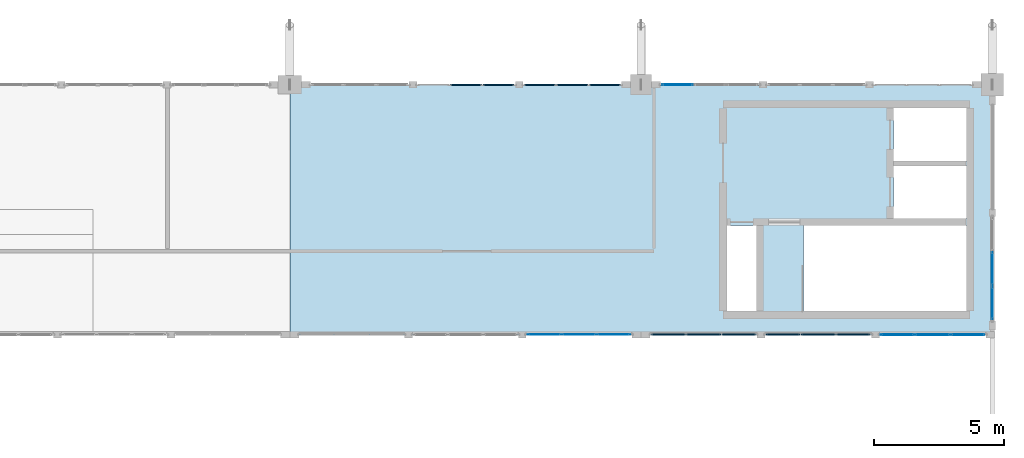
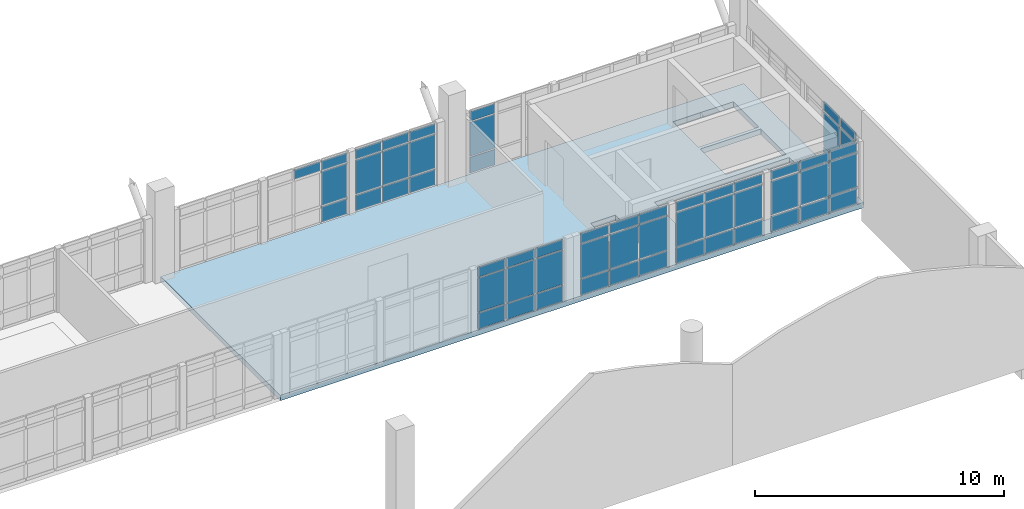
# One storey, part 29 of 37: 58 plates, 1 slab, 8 elements without a shape of their own.
"""IFC4 building model written with IfcOpenShell, lengths in metres."""

from ifc_helpers import new_model, si_unit, direction, frame, origin, origin_2d, place, context, subcontext, project, spatial, polyline, rectangle, outline, extrude, material, layer, layer_set, type_object, element, aggregate, save


model = new_model("IFC4")

# Units and contexts
model_context = context("Model", 3, precision=1e-05, world=origin(), true_north=direction((0.0, 1.0)))
body_context = subcontext(model_context, "Body", "Model", "MODEL_VIEW")
ifc_project = project(units=[si_unit("LENGTHUNIT", "METRE"), si_unit("AREAUNIT", "SQUARE_METRE"), si_unit("VOLUMEUNIT", "CUBIC_METRE"), si_unit("PLANEANGLEUNIT", "RADIAN"), si_unit("MASSUNIT", "GRAM", prefix="KILO")], contexts=[model_context])

# Site, building, storey
site_placement = place(None, origin())
site = spatial("IfcSite", under=ifc_project, at=site_placement, CompositionType="ELEMENT")
building_placement = place(site_placement, origin())
building = spatial("IfcBuilding", under=site, at=building_placement, Name="Fikremerkos Civic Library", CompositionType="ELEMENT")
storey_placement = place(building_placement, frame((0.0, 0.0, 23.39990234375)))
storey = spatial("IfcBuildingStorey", under=building, at=storey_placement, Name="L05", CompositionType="ELEMENT", Elevation=23.39990234375)

# Curtain wall, plates
ifc_material_1 = material(Name="Anodized aluminium Frame", Category="aluminium")
ifc_layer_1 = layer(ifc_material_1, 0.159912109375, Name="Anodized aluminium Frame")
ifc_layer_set_1 = layer_set([ifc_layer_1], Name="Anodized aluminium Frame")
curtain_wall_type_1 = type_object("IfcCurtainWallType", Name="Unitised curtain wall CW-05 3800x4100", PredefinedType="USERDEFINED", material=ifc_layer_set_1)
curtain_wall_1_placement = place(storey_placement, origin())
curtain_wall_1 = element("IfcCurtainWall", 1, at=curtain_wall_1_placement, inside=storey, type_object=curtain_wall_type_1, Name="Unitised curtain wall CW-05 L05 #275", ObjectType="UNITISED CURTAIN WALL", PredefinedType="USERDEFINED")
ifc_material_2 = material(Name="Solar control double glazing", Category="glass")
ifc_layer_2 = layer(ifc_material_2, 0.028076171875, Name="Solar control double glazing")
ifc_layer_set_2 = layer_set([ifc_layer_2], Name="Solar control double glazing")
plate_type_1 = type_object("IfcPlateType", Name="Curtain glazing panel CWP-01 28", PredefinedType="CURTAIN_PANEL", material=ifc_layer_set_2)
plate_1_placement = place(storey_placement, frame((101.596435546875, 31.199951171875, 0.06005859375), z_axis=(0.0, 0.0, 1.0), x_axis=(1.0, 0.0, 0.0)))
plate_1 = element("IfcPlate", 2, at=plate_1_placement, type_object=plate_type_1, Name="CW-05 panel 1.1", PredefinedType="CURTAIN_PANEL", context=body_context, shape_type="SweptSolid", body=[
    extrude(rectangle(XDim=1.166748046875, YDim=0.028076171875, at=origin_2d()), origin(), (0.0, 0.0, 1.0), 0.760009765625),
])
plate_2_placement = place(storey_placement, frame((101.596435546875, 31.199951171875, 0.88037109375), z_axis=(0.0, 0.0, 1.0), x_axis=(1.0, 0.0, 0.0)))
plate_2 = element("IfcPlate", 3, at=plate_2_placement, type_object=plate_type_1, Name="CW-05 panel 1.2", PredefinedType="CURTAIN_PANEL", context=body_context, shape_type="SweptSolid", body=[
    extrude(rectangle(XDim=1.166748046875, YDim=0.028076171875, at=origin_2d()), origin(), (0.0, 0.0, 1.0), 1.659912109375),
])
plate_3_placement = place(storey_placement, frame((101.596435546875, 31.199951171875, 2.60009765625), z_axis=(0.0, 0.0, 1.0), x_axis=(1.0, 0.0, 0.0)))
plate_3 = element("IfcPlate", 4, at=plate_3_placement, type_object=plate_type_1, Name="CW-05 panel 1.3", PredefinedType="CURTAIN_PANEL", context=body_context, shape_type="SweptSolid", body=[
    extrude(rectangle(XDim=1.166748046875, YDim=0.028076171875, at=origin_2d()), origin(), (0.0, 0.0, 1.0), 0.4599609375),
])
aggregate(curtain_wall_1, [plate_1, plate_2, plate_3])

ifc_layer_3 = layer(ifc_material_1, 0.159912109375, Name="Anodized aluminium Frame")
ifc_layer_set_3 = layer_set([ifc_layer_3], Name="Anodized aluminium Frame")
curtain_wall_type_2 = type_object("IfcCurtainWallType", Name="Unitised curtain wall CW-09 3600x3400", PredefinedType="USERDEFINED", material=ifc_layer_set_3)
curtain_wall_2_placement = place(storey_placement, origin())
curtain_wall_2 = element("IfcCurtainWall", 5, at=curtain_wall_2_placement, inside=storey, type_object=curtain_wall_type_2, Name="Unitised curtain wall CW-09 L05 #279", ObjectType="UNITISED CURTAIN WALL", PredefinedType="USERDEFINED")
plate_4_placement = place(storey_placement, frame((113.699951171875, 24.129150390625, 0.070068359375), z_axis=(0.0, 0.0, 1.0), x_axis=(0.0, -1.0, 0.0)))
plate_4 = element("IfcPlate", 6, at=plate_4_placement, type_object=plate_type_1, Name="CW-09 panel 2.1", PredefinedType="CURTAIN_PANEL", context=body_context, shape_type="SweptSolid", body=[
    extrude(rectangle(XDim=1.267822265625, YDim=0.028076171875, at=origin_2d()), origin(), (0.0, 0.0, 1.0), 0.7451171875),
])
plate_5_placement = place(storey_placement, frame((113.699951171875, 24.129150390625, 0.88525390625), z_axis=(0.0, 0.0, 1.0), x_axis=(0.0, -1.0, 0.0)))
plate_5 = element("IfcPlate", 7, at=plate_5_placement, type_object=plate_type_1, Name="CW-09 panel 2.2", PredefinedType="CURTAIN_PANEL", context=body_context, shape_type="SweptSolid", body=[
    extrude(rectangle(XDim=1.267822265625, YDim=0.028076171875, at=origin_2d()), origin(), (0.0, 0.0, 1.0), 1.64990234375),
])
plate_6_placement = place(storey_placement, frame((113.699951171875, 24.129150390625, 2.60498046875), z_axis=(0.0, 0.0, 1.0), x_axis=(0.0, -1.0, 0.0)))
plate_6 = element("IfcPlate", 8, at=plate_6_placement, type_object=plate_type_1, Name="CW-09 panel 2.3", PredefinedType="CURTAIN_PANEL", context=body_context, shape_type="SweptSolid", body=[
    extrude(rectangle(XDim=1.267822265625, YDim=0.028076171875, at=origin_2d()), origin(), (0.0, 0.0, 1.0), 0.445068359375),
])
plate_7_placement = place(storey_placement, frame((113.699951171875, 22.812744140625, 0.070068359375), z_axis=(0.0, 0.0, 1.0), x_axis=(0.0, -1.0, 0.0)))
plate_7 = element("IfcPlate", 9, at=plate_7_placement, type_object=plate_type_1, Name="CW-09 panel 3.1", PredefinedType="CURTAIN_PANEL", context=body_context, shape_type="SweptSolid", body=[
    extrude(rectangle(XDim=1.2353515625, YDim=0.028076171875, at=origin_2d()), origin(), (0.0, 0.0, 1.0), 0.7451171875),
])
plate_8_placement = place(storey_placement, frame((113.699951171875, 22.812744140625, 0.88525390625), z_axis=(0.0, 0.0, 1.0), x_axis=(0.0, -1.0, 0.0)))
plate_8 = element("IfcPlate", 10, at=plate_8_placement, type_object=plate_type_1, Name="CW-09 panel 3.2", PredefinedType="CURTAIN_PANEL", context=body_context, shape_type="SweptSolid", body=[
    extrude(rectangle(XDim=1.2353515625, YDim=0.028076171875, at=origin_2d()), origin(), (0.0, 0.0, 1.0), 1.64990234375),
])
plate_9_placement = place(storey_placement, frame((113.699951171875, 22.812744140625, 2.60498046875), z_axis=(0.0, 0.0, 1.0), x_axis=(0.0, -1.0, 0.0)))
plate_9 = element("IfcPlate", 11, at=plate_9_placement, type_object=plate_type_1, Name="CW-09 panel 3.3", PredefinedType="CURTAIN_PANEL", context=body_context, shape_type="SweptSolid", body=[
    extrude(rectangle(XDim=1.2353515625, YDim=0.028076171875, at=origin_2d()), origin(), (0.0, 0.0, 1.0), 0.445068359375),
])
aggregate(curtain_wall_2, [plate_4, plate_5, plate_6, plate_7, plate_8, plate_9])

ifc_layer_4 = layer(ifc_material_1, 0.159912109375, Name="Anodized aluminium Frame")
ifc_layer_set_4 = layer_set([ifc_layer_4], Name="Anodized aluminium Frame")
curtain_wall_type_3 = type_object("IfcCurtainWallType", Name="Unitised curtain wall CW-13 3700x3200", PredefinedType="USERDEFINED", material=ifc_layer_set_4)
curtain_wall_3_placement = place(storey_placement, origin())
curtain_wall_3 = element("IfcCurtainWall", 12, at=curtain_wall_3_placement, inside=storey, type_object=curtain_wall_type_3, Name="Unitised curtain wall CW-13 L05 #283", ObjectType="UNITISED CURTAIN WALL", PredefinedType="USERDEFINED")
plate_10_placement = place(storey_placement, frame((99.154296875, 21.60009765625, 0.06005859375), z_axis=(0.0, 0.0, 1.0), x_axis=(-1.0, 0.0, 0.0)))
plate_10 = element("IfcPlate", 13, at=plate_10_placement, type_object=plate_type_1, Name="CW-13 panel 1.1", PredefinedType="CURTAIN_PANEL", context=body_context, shape_type="SweptSolid", body=[
    extrude(rectangle(XDim=1.257568359375, YDim=0.028076171875, at=origin_2d()), origin(), (0.0, 0.0, 1.0), 0.760009765625),
])
plate_11_placement = place(storey_placement, frame((99.154296875, 21.60009765625, 0.88037109375), z_axis=(0.0, 0.0, 1.0), x_axis=(-1.0, 0.0, 0.0)))
plate_11 = element("IfcPlate", 14, at=plate_11_placement, type_object=plate_type_1, Name="CW-13 panel 1.2", PredefinedType="CURTAIN_PANEL", context=body_context, shape_type="SweptSolid", body=[
    extrude(rectangle(XDim=1.257568359375, YDim=0.028076171875, at=origin_2d()), origin(), (0.0, 0.0, 1.0), 1.659912109375),
])
plate_12_placement = place(storey_placement, frame((99.154296875, 21.60009765625, 2.60009765625), z_axis=(0.0, 0.0, 1.0), x_axis=(-1.0, 0.0, 0.0)))
plate_12 = element("IfcPlate", 15, at=plate_12_placement, type_object=plate_type_1, Name="CW-13 panel 1.3", PredefinedType="CURTAIN_PANEL", context=body_context, shape_type="SweptSolid", body=[
    extrude(rectangle(XDim=1.257568359375, YDim=0.028076171875, at=origin_2d()), origin(), (0.0, 0.0, 1.0), 0.4599609375),
])
plate_13_placement = place(storey_placement, frame((97.8154296875, 21.60009765625, 0.06005859375), z_axis=(0.0, 0.0, 1.0), x_axis=(-1.0, 0.0, 0.0)))
plate_13 = element("IfcPlate", 16, at=plate_13_placement, type_object=plate_type_1, Name="CW-13 panel 2.1", PredefinedType="CURTAIN_PANEL", context=body_context, shape_type="SweptSolid", body=[
    extrude(rectangle(XDim=1.2900390625, YDim=0.028076171875, at=origin_2d()), origin(), (0.0, 0.0, 1.0), 0.760009765625),
])
plate_14_placement = place(storey_placement, frame((97.8154296875, 21.60009765625, 0.88037109375), z_axis=(0.0, 0.0, 1.0), x_axis=(-1.0, 0.0, 0.0)))
plate_14 = element("IfcPlate", 17, at=plate_14_placement, type_object=plate_type_1, Name="CW-13 panel 2.2", PredefinedType="CURTAIN_PANEL", context=body_context, shape_type="SweptSolid", body=[
    extrude(rectangle(XDim=1.2900390625, YDim=0.028076171875, at=origin_2d()), origin(), (0.0, 0.0, 1.0), 1.659912109375),
])
plate_15_placement = place(storey_placement, frame((97.8154296875, 21.60009765625, 2.60009765625), z_axis=(0.0, 0.0, 1.0), x_axis=(-1.0, 0.0, 0.0)))
plate_15 = element("IfcPlate", 18, at=plate_15_placement, type_object=plate_type_1, Name="CW-13 panel 2.3", PredefinedType="CURTAIN_PANEL", context=body_context, shape_type="SweptSolid", body=[
    extrude(rectangle(XDim=1.2900390625, YDim=0.028076171875, at=origin_2d()), origin(), (0.0, 0.0, 1.0), 0.4599609375),
])
plate_16_placement = place(storey_placement, frame((96.4765625, 21.60009765625, 0.06005859375), z_axis=(0.0, 0.0, 1.0), x_axis=(-1.0, 0.0, 0.0)))
plate_16 = element("IfcPlate", 19, at=plate_16_placement, type_object=plate_type_1, Name="CW-13 panel 3.1", PredefinedType="CURTAIN_PANEL", context=body_context, shape_type="SweptSolid", body=[
    extrude(rectangle(XDim=1.257568359375, YDim=0.028076171875, at=origin_2d()), origin(), (0.0, 0.0, 1.0), 0.760009765625),
])
plate_17_placement = place(storey_placement, frame((96.4765625, 21.60009765625, 0.88037109375), z_axis=(0.0, 0.0, 1.0), x_axis=(-1.0, 0.0, 0.0)))
plate_17 = element("IfcPlate", 20, at=plate_17_placement, type_object=plate_type_1, Name="CW-13 panel 3.2", PredefinedType="CURTAIN_PANEL", context=body_context, shape_type="SweptSolid", body=[
    extrude(rectangle(XDim=1.257568359375, YDim=0.028076171875, at=origin_2d()), origin(), (0.0, 0.0, 1.0), 1.659912109375),
])
plate_18_placement = place(storey_placement, frame((96.4765625, 21.60009765625, 2.60009765625), z_axis=(0.0, 0.0, 1.0), x_axis=(-1.0, 0.0, 0.0)))
plate_18 = element("IfcPlate", 21, at=plate_18_placement, type_object=plate_type_1, Name="CW-13 panel 3.3", PredefinedType="CURTAIN_PANEL", context=body_context, shape_type="SweptSolid", body=[
    extrude(rectangle(XDim=1.257568359375, YDim=0.028076171875, at=origin_2d()), origin(), (0.0, 0.0, 1.0), 0.4599609375),
])
aggregate(curtain_wall_3, [plate_10, plate_11, plate_12, plate_13, plate_14, plate_15, plate_16, plate_17, plate_18])

ifc_layer_5 = layer(ifc_material_1, 0.159912109375, Name="Anodized aluminium Frame")
ifc_layer_set_5 = layer_set([ifc_layer_5], Name="Anodized aluminium Frame")
curtain_wall_type_4 = type_object("IfcCurtainWallType", Name="Unitised curtain wall CW-10 4000x3400", PredefinedType="USERDEFINED", material=ifc_layer_set_5)
curtain_wall_4_placement = place(storey_placement, origin())
curtain_wall_4 = element("IfcCurtainWall", 22, at=curtain_wall_4_placement, inside=storey, type_object=curtain_wall_type_4, Name="Unitised curtain wall CW-10 L05 #280", ObjectType="UNITISED CURTAIN WALL", PredefinedType="USERDEFINED")
ifc_layer_6 = layer(ifc_material_2, 0.035888671875, Name="Solar control double glazing")
ifc_layer_set_6 = layer_set([ifc_layer_6], Name="Solar control double glazing")
plate_type_2 = type_object("IfcPlateType", Name="Curtain glazing panel CWP-02 36", PredefinedType="CURTAIN_PANEL", material=ifc_layer_set_6)
plate_19_placement = place(storey_placement, frame((112.76123046875, 21.60009765625, 0.070068359375), z_axis=(0.0, 0.0, 1.0), x_axis=(-1.0, 0.0, 0.0)))
plate_19 = element("IfcPlate", 23, at=plate_19_placement, type_object=plate_type_2, Name="CW-10 panel 1.1", PredefinedType="CURTAIN_PANEL", context=body_context, shape_type="SweptSolid", body=[
    extrude(rectangle(XDim=1.277587890625, YDim=0.035888671875, at=origin_2d()), origin(), (0.0, 0.0, 1.0), 0.7451171875),
])
plate_20_placement = place(storey_placement, frame((112.76123046875, 21.60009765625, 0.88525390625), z_axis=(0.0, 0.0, 1.0), x_axis=(-1.0, 0.0, 0.0)))
plate_20 = element("IfcPlate", 24, at=plate_20_placement, type_object=plate_type_2, Name="CW-10 panel 1.2", PredefinedType="CURTAIN_PANEL", context=body_context, shape_type="SweptSolid", body=[
    extrude(rectangle(XDim=1.277587890625, YDim=0.035888671875, at=origin_2d()), origin(), (0.0, 0.0, 1.0), 1.64990234375),
])
plate_21_placement = place(storey_placement, frame((112.76123046875, 21.60009765625, 2.60498046875), z_axis=(0.0, 0.0, 1.0), x_axis=(-1.0, 0.0, 0.0)))
plate_21 = element("IfcPlate", 25, at=plate_21_placement, type_object=plate_type_2, Name="CW-10 panel 1.3", PredefinedType="CURTAIN_PANEL", context=body_context, shape_type="SweptSolid", body=[
    extrude(rectangle(XDim=1.277587890625, YDim=0.035888671875, at=origin_2d()), origin(), (0.0, 0.0, 1.0), 0.445068359375),
])
plate_22_placement = place(storey_placement, frame((111.40869140625, 21.60009765625, 0.070068359375), z_axis=(0.0, 0.0, 1.0), x_axis=(-1.0, 0.0, 0.0)))
plate_22 = element("IfcPlate", 26, at=plate_22_placement, type_object=plate_type_2, Name="CW-10 panel 2.1", PredefinedType="CURTAIN_PANEL", context=body_context, shape_type="SweptSolid", body=[
    extrude(rectangle(XDim=1.3076171875, YDim=0.035888671875, at=origin_2d()), origin(), (0.0, 0.0, 1.0), 0.7451171875),
])
plate_23_placement = place(storey_placement, frame((111.40869140625, 21.60009765625, 0.88525390625), z_axis=(0.0, 0.0, 1.0), x_axis=(-1.0, 0.0, 0.0)))
plate_23 = element("IfcPlate", 27, at=plate_23_placement, type_object=plate_type_2, Name="CW-10 panel 2.2", PredefinedType="CURTAIN_PANEL", context=body_context, shape_type="SweptSolid", body=[
    extrude(rectangle(XDim=1.3076171875, YDim=0.035888671875, at=origin_2d()), origin(), (0.0, 0.0, 1.0), 1.64990234375),
])
plate_24_placement = place(storey_placement, frame((111.40869140625, 21.60009765625, 2.60498046875), z_axis=(0.0, 0.0, 1.0), x_axis=(-1.0, 0.0, 0.0)))
plate_24 = element("IfcPlate", 28, at=plate_24_placement, type_object=plate_type_2, Name="CW-10 panel 2.3", PredefinedType="CURTAIN_PANEL", context=body_context, shape_type="SweptSolid", body=[
    extrude(rectangle(XDim=1.3076171875, YDim=0.035888671875, at=origin_2d()), origin(), (0.0, 0.0, 1.0), 0.445068359375),
])
plate_25_placement = place(storey_placement, frame((110.05615234375, 21.60009765625, 0.070068359375), z_axis=(0.0, 0.0, 1.0), x_axis=(-1.0, 0.0, 0.0)))
plate_25 = element("IfcPlate", 29, at=plate_25_placement, type_object=plate_type_2, Name="CW-10 panel 3.1", PredefinedType="CURTAIN_PANEL", context=body_context, shape_type="SweptSolid", body=[
    extrude(rectangle(XDim=1.277587890625, YDim=0.035888671875, at=origin_2d()), origin(), (0.0, 0.0, 1.0), 0.7451171875),
])
plate_26_placement = place(storey_placement, frame((110.05615234375, 21.60009765625, 0.88525390625), z_axis=(0.0, 0.0, 1.0), x_axis=(-1.0, 0.0, 0.0)))
plate_26 = element("IfcPlate", 30, at=plate_26_placement, type_object=plate_type_2, Name="CW-10 panel 3.2", PredefinedType="CURTAIN_PANEL", context=body_context, shape_type="SweptSolid", body=[
    extrude(rectangle(XDim=1.277587890625, YDim=0.035888671875, at=origin_2d()), origin(), (0.0, 0.0, 1.0), 1.64990234375),
])
plate_27_placement = place(storey_placement, frame((110.05615234375, 21.60009765625, 2.60498046875), z_axis=(0.0, 0.0, 1.0), x_axis=(-1.0, 0.0, 0.0)))
plate_27 = element("IfcPlate", 31, at=plate_27_placement, type_object=plate_type_2, Name="CW-10 panel 3.3", PredefinedType="CURTAIN_PANEL", context=body_context, shape_type="SweptSolid", body=[
    extrude(rectangle(XDim=1.277587890625, YDim=0.035888671875, at=origin_2d()), origin(), (0.0, 0.0, 1.0), 0.445068359375),
])
aggregate(curtain_wall_4, [plate_19, plate_20, plate_21, plate_22, plate_23, plate_24, plate_25, plate_26, plate_27])

ifc_layer_7 = layer(ifc_material_1, 0.159912109375, Name="Anodized aluminium Frame")
ifc_layer_set_7 = layer_set([ifc_layer_7], Name="Anodized aluminium Frame")
curtain_wall_type_5 = type_object("IfcCurtainWallType", Name="Unitised curtain wall CW-03 4100x3600", PredefinedType="USERDEFINED", material=ifc_layer_set_7)
curtain_wall_5_placement = place(storey_placement, origin())
curtain_wall_5 = element("IfcCurtainWall", 32, at=curtain_wall_5_placement, inside=storey, type_object=curtain_wall_type_5, Name="Unitised curtain wall CW-03 L05 #273", ObjectType="UNITISED CURTAIN WALL", PredefinedType="USERDEFINED")
ifc_material_3 = material(Name="Insulated aluminium spandrel", Category="aluminium")
ifc_layer_8 = layer(ifc_material_3, 0.044921875, Name="Insulated aluminium spandrel")
ifc_layer_set_8 = layer_set([ifc_layer_8], Name="Insulated aluminium spandrel")
plate_type_3 = type_object("IfcPlateType", Name="Curtain spandrel panel CSP-01 45", PredefinedType="CURTAIN_PANEL", material=ifc_layer_set_8)
plate_28_placement = place(storey_placement, frame((93.47509765625, 31.199951171875, 2.6025390625), z_axis=(0.0, 0.0, 1.0), x_axis=(1.0, 0.0, 0.0)))
plate_28 = element("IfcPlate", 33, at=plate_28_placement, type_object=plate_type_3, Name="CW-03 panel 2.3", PredefinedType="CURTAIN_PANEL", context=body_context, shape_type="SweptSolid", body=[
    extrude(rectangle(XDim=1.20166015625, YDim=0.044921875, at=origin_2d()), origin(), (0.0, 0.0, 1.0), 0.452392578125),
])
plate_29_placement = place(storey_placement, frame((94.721435546875, 31.199951171875, 0.065185546875), z_axis=(0.0, 0.0, 1.0), x_axis=(1.0, 0.0, 0.0)))
plate_29 = element("IfcPlate", 34, at=plate_29_placement, type_object=plate_type_3, Name="CW-03 panel 3.1", PredefinedType="CURTAIN_PANEL", context=body_context, shape_type="SweptSolid", body=[
    extrude(rectangle(XDim=1.171630859375, YDim=0.044921875, at=origin_2d()), origin(), (0.0, 0.0, 1.0), 0.75244140625),
])
plate_30_placement = place(storey_placement, frame((94.721435546875, 31.199951171875, 0.8828125), z_axis=(0.0, 0.0, 1.0), x_axis=(1.0, 0.0, 0.0)))
plate_30 = element("IfcPlate", 35, at=plate_30_placement, type_object=plate_type_3, Name="CW-03 panel 3.2", PredefinedType="CURTAIN_PANEL", context=body_context, shape_type="SweptSolid", body=[
    extrude(rectangle(XDim=1.171630859375, YDim=0.044921875, at=origin_2d()), origin(), (0.0, 0.0, 1.0), 1.655029296875),
])
plate_31_placement = place(storey_placement, frame((94.721435546875, 31.199951171875, 2.6025390625), z_axis=(0.0, 0.0, 1.0), x_axis=(1.0, 0.0, 0.0)))
plate_31 = element("IfcPlate", 36, at=plate_31_placement, type_object=plate_type_3, Name="CW-03 panel 3.3", PredefinedType="CURTAIN_PANEL", context=body_context, shape_type="SweptSolid", body=[
    extrude(rectangle(XDim=1.171630859375, YDim=0.044921875, at=origin_2d()), origin(), (0.0, 0.0, 1.0), 0.452392578125),
])
aggregate(curtain_wall_5, [plate_28, plate_29, plate_30, plate_31])

ifc_layer_9 = layer(ifc_material_1, 0.159912109375, Name="Anodized aluminium Frame")
ifc_layer_set_9 = layer_set([ifc_layer_9], Name="Anodized aluminium Frame")
curtain_wall_type_6 = type_object("IfcCurtainWallType", Name="Unitised curtain wall CW-11 3200x3400", PredefinedType="USERDEFINED", material=ifc_layer_set_9)
curtain_wall_6_placement = place(storey_placement, origin())
curtain_wall_6 = element("IfcCurtainWall", 37, at=curtain_wall_6_placement, inside=storey, type_object=curtain_wall_type_6, Name="Unitised curtain wall CW-11 L05 #281", ObjectType="UNITISED CURTAIN WALL", PredefinedType="USERDEFINED")
plate_32_placement = place(storey_placement, frame((108.358642578125, 21.60009765625, 0.065185546875), z_axis=(0.0, 0.0, 1.0), x_axis=(-1.0, 0.0, 0.0)))
plate_32 = element("IfcPlate", 38, at=plate_32_placement, type_object=plate_type_3, Name="CW-11 panel 1.1", PredefinedType="CURTAIN_PANEL", context=body_context, shape_type="SweptSolid", body=[
    extrude(rectangle(XDim=1.277587890625, YDim=0.044921875, at=origin_2d()), origin(), (0.0, 0.0, 1.0), 0.75244140625),
])
plate_33_placement = place(storey_placement, frame((108.358642578125, 21.60009765625, 0.8828125), z_axis=(0.0, 0.0, 1.0), x_axis=(-1.0, 0.0, 0.0)))
plate_33 = element("IfcPlate", 39, at=plate_33_placement, type_object=plate_type_3, Name="CW-11 panel 1.2", PredefinedType="CURTAIN_PANEL", context=body_context, shape_type="SweptSolid", body=[
    extrude(rectangle(XDim=1.277587890625, YDim=0.044921875, at=origin_2d()), origin(), (0.0, 0.0, 1.0), 1.655029296875),
])
plate_34_placement = place(storey_placement, frame((108.358642578125, 21.60009765625, 2.6025390625), z_axis=(0.0, 0.0, 1.0), x_axis=(-1.0, 0.0, 0.0)))
plate_34 = element("IfcPlate", 40, at=plate_34_placement, type_object=plate_type_3, Name="CW-11 panel 1.3", PredefinedType="CURTAIN_PANEL", context=body_context, shape_type="SweptSolid", body=[
    extrude(rectangle(XDim=1.277587890625, YDim=0.044921875, at=origin_2d()), origin(), (0.0, 0.0, 1.0), 0.452392578125),
])
plate_35_placement = place(storey_placement, frame((107.006103515625, 21.60009765625, 0.065185546875), z_axis=(0.0, 0.0, 1.0), x_axis=(-1.0, 0.0, 0.0)))
plate_35 = element("IfcPlate", 41, at=plate_35_placement, type_object=plate_type_3, Name="CW-11 panel 2.1", PredefinedType="CURTAIN_PANEL", context=body_context, shape_type="SweptSolid", body=[
    extrude(rectangle(XDim=1.3076171875, YDim=0.044921875, at=origin_2d()), origin(), (0.0, 0.0, 1.0), 0.75244140625),
])
plate_36_placement = place(storey_placement, frame((107.006103515625, 21.60009765625, 0.8828125), z_axis=(0.0, 0.0, 1.0), x_axis=(-1.0, 0.0, 0.0)))
plate_36 = element("IfcPlate", 42, at=plate_36_placement, type_object=plate_type_3, Name="CW-11 panel 2.2", PredefinedType="CURTAIN_PANEL", context=body_context, shape_type="SweptSolid", body=[
    extrude(rectangle(XDim=1.3076171875, YDim=0.044921875, at=origin_2d()), origin(), (0.0, 0.0, 1.0), 1.655029296875),
])
plate_37_placement = place(storey_placement, frame((107.006103515625, 21.60009765625, 2.6025390625), z_axis=(0.0, 0.0, 1.0), x_axis=(-1.0, 0.0, 0.0)))
plate_37 = element("IfcPlate", 43, at=plate_37_placement, type_object=plate_type_3, Name="CW-11 panel 2.3", PredefinedType="CURTAIN_PANEL", context=body_context, shape_type="SweptSolid", body=[
    extrude(rectangle(XDim=1.3076171875, YDim=0.044921875, at=origin_2d()), origin(), (0.0, 0.0, 1.0), 0.452392578125),
])
plate_38_placement = place(storey_placement, frame((105.653564453125, 21.60009765625, 0.065185546875), z_axis=(0.0, 0.0, 1.0), x_axis=(-1.0, 0.0, 0.0)))
plate_38 = element("IfcPlate", 44, at=plate_38_placement, type_object=plate_type_3, Name="CW-11 panel 3.1", PredefinedType="CURTAIN_PANEL", context=body_context, shape_type="SweptSolid", body=[
    extrude(rectangle(XDim=1.277587890625, YDim=0.044921875, at=origin_2d()), origin(), (0.0, 0.0, 1.0), 0.75244140625),
])
plate_39_placement = place(storey_placement, frame((105.653564453125, 21.60009765625, 0.8828125), z_axis=(0.0, 0.0, 1.0), x_axis=(-1.0, 0.0, 0.0)))
plate_39 = element("IfcPlate", 45, at=plate_39_placement, type_object=plate_type_3, Name="CW-11 panel 3.2", PredefinedType="CURTAIN_PANEL", context=body_context, shape_type="SweptSolid", body=[
    extrude(rectangle(XDim=1.277587890625, YDim=0.044921875, at=origin_2d()), origin(), (0.0, 0.0, 1.0), 1.655029296875),
])
plate_40_placement = place(storey_placement, frame((105.653564453125, 21.60009765625, 2.6025390625), z_axis=(0.0, 0.0, 1.0), x_axis=(-1.0, 0.0, 0.0)))
plate_40 = element("IfcPlate", 46, at=plate_40_placement, type_object=plate_type_3, Name="CW-11 panel 3.3", PredefinedType="CURTAIN_PANEL", context=body_context, shape_type="SweptSolid", body=[
    extrude(rectangle(XDim=1.277587890625, YDim=0.044921875, at=origin_2d()), origin(), (0.0, 0.0, 1.0), 0.452392578125),
])
aggregate(curtain_wall_6, [plate_32, plate_33, plate_34, plate_35, plate_36, plate_37, plate_38, plate_39, plate_40])

ifc_layer_10 = layer(ifc_material_1, 0.159912109375, Name="Anodized aluminium Frame")
ifc_layer_set_10 = layer_set([ifc_layer_10], Name="Anodized aluminium Frame")
curtain_wall_type_7 = type_object("IfcCurtainWallType", Name="Unitised curtain wall CW-04 3400x3600", PredefinedType="USERDEFINED", material=ifc_layer_set_10)
curtain_wall_7_placement = place(storey_placement, origin())
curtain_wall_7 = element("IfcCurtainWall", 47, at=curtain_wall_7_placement, inside=storey, type_object=curtain_wall_type_7, Name="Unitised curtain wall CW-04 L05 #274", ObjectType="UNITISED CURTAIN WALL", PredefinedType="USERDEFINED")
ifc_layer_11 = layer(ifc_material_3, 0.054931640625, Name="Insulated aluminium spandrel")
ifc_layer_set_11 = layer_set([ifc_layer_11], Name="Insulated aluminium spandrel")
plate_type_4 = type_object("IfcPlateType", Name="Curtain spandrel panel CSP-02 55", PredefinedType="CURTAIN_PANEL", material=ifc_layer_set_11)
plate_41_placement = place(storey_placement, frame((96.31298828125, 31.199951171875, 0.065185546875), z_axis=(0.0, 0.0, 1.0), x_axis=(1.0, 0.0, 0.0)))
plate_41 = element("IfcPlate", 48, at=plate_41_placement, type_object=plate_type_4, Name="CW-04 panel 1.1", PredefinedType="CURTAIN_PANEL", context=body_context, shape_type="SweptSolid", body=[
    extrude(rectangle(XDim=1.171630859375, YDim=0.054931640625, at=origin_2d()), origin(), (0.0, 0.0, 1.0), 0.75244140625),
])
plate_42_placement = place(storey_placement, frame((96.31298828125, 31.199951171875, 0.8828125), z_axis=(0.0, 0.0, 1.0), x_axis=(1.0, 0.0, 0.0)))
plate_42 = element("IfcPlate", 49, at=plate_42_placement, type_object=plate_type_4, Name="CW-04 panel 1.2", PredefinedType="CURTAIN_PANEL", context=body_context, shape_type="SweptSolid", body=[
    extrude(rectangle(XDim=1.171630859375, YDim=0.054931640625, at=origin_2d()), origin(), (0.0, 0.0, 1.0), 1.655029296875),
])
plate_43_placement = place(storey_placement, frame((96.31298828125, 31.199951171875, 2.6025390625), z_axis=(0.0, 0.0, 1.0), x_axis=(1.0, 0.0, 0.0)))
plate_43 = element("IfcPlate", 50, at=plate_43_placement, type_object=plate_type_4, Name="CW-04 panel 1.3", PredefinedType="CURTAIN_PANEL", context=body_context, shape_type="SweptSolid", body=[
    extrude(rectangle(XDim=1.171630859375, YDim=0.054931640625, at=origin_2d()), origin(), (0.0, 0.0, 1.0), 0.452392578125),
])
plate_44_placement = place(storey_placement, frame((97.5595703125, 31.199951171875, 0.065185546875), z_axis=(0.0, 0.0, 1.0), x_axis=(1.0, 0.0, 0.0)))
plate_44 = element("IfcPlate", 51, at=plate_44_placement, type_object=plate_type_4, Name="CW-04 panel 2.1", PredefinedType="CURTAIN_PANEL", context=body_context, shape_type="SweptSolid", body=[
    extrude(rectangle(XDim=1.20166015625, YDim=0.054931640625, at=origin_2d()), origin(), (0.0, 0.0, 1.0), 0.75244140625),
])
plate_45_placement = place(storey_placement, frame((97.5595703125, 31.199951171875, 0.8828125), z_axis=(0.0, 0.0, 1.0), x_axis=(1.0, 0.0, 0.0)))
plate_45 = element("IfcPlate", 52, at=plate_45_placement, type_object=plate_type_4, Name="CW-04 panel 2.2", PredefinedType="CURTAIN_PANEL", context=body_context, shape_type="SweptSolid", body=[
    extrude(rectangle(XDim=1.20166015625, YDim=0.054931640625, at=origin_2d()), origin(), (0.0, 0.0, 1.0), 1.655029296875),
])
plate_46_placement = place(storey_placement, frame((97.5595703125, 31.199951171875, 2.6025390625), z_axis=(0.0, 0.0, 1.0), x_axis=(1.0, 0.0, 0.0)))
plate_46 = element("IfcPlate", 53, at=plate_46_placement, type_object=plate_type_4, Name="CW-04 panel 2.3", PredefinedType="CURTAIN_PANEL", context=body_context, shape_type="SweptSolid", body=[
    extrude(rectangle(XDim=1.20166015625, YDim=0.054931640625, at=origin_2d()), origin(), (0.0, 0.0, 1.0), 0.452392578125),
])
plate_47_placement = place(storey_placement, frame((98.80615234375, 31.199951171875, 0.065185546875), z_axis=(0.0, 0.0, 1.0), x_axis=(1.0, 0.0, 0.0)))
plate_47 = element("IfcPlate", 54, at=plate_47_placement, type_object=plate_type_4, Name="CW-04 panel 3.1", PredefinedType="CURTAIN_PANEL", context=body_context, shape_type="SweptSolid", body=[
    extrude(rectangle(XDim=1.171630859375, YDim=0.054931640625, at=origin_2d()), origin(), (0.0, 0.0, 1.0), 0.75244140625),
])
plate_48_placement = place(storey_placement, frame((98.80615234375, 31.199951171875, 0.8828125), z_axis=(0.0, 0.0, 1.0), x_axis=(1.0, 0.0, 0.0)))
plate_48 = element("IfcPlate", 55, at=plate_48_placement, type_object=plate_type_4, Name="CW-04 panel 3.2", PredefinedType="CURTAIN_PANEL", context=body_context, shape_type="SweptSolid", body=[
    extrude(rectangle(XDim=1.171630859375, YDim=0.054931640625, at=origin_2d()), origin(), (0.0, 0.0, 1.0), 1.655029296875),
])
plate_49_placement = place(storey_placement, frame((98.80615234375, 31.199951171875, 2.6025390625), z_axis=(0.0, 0.0, 1.0), x_axis=(1.0, 0.0, 0.0)))
plate_49 = element("IfcPlate", 56, at=plate_49_placement, type_object=plate_type_4, Name="CW-04 panel 3.3", PredefinedType="CURTAIN_PANEL", context=body_context, shape_type="SweptSolid", body=[
    extrude(rectangle(XDim=1.171630859375, YDim=0.054931640625, at=origin_2d()), origin(), (0.0, 0.0, 1.0), 0.452392578125),
])
aggregate(curtain_wall_7, [plate_41, plate_42, plate_43, plate_44, plate_45, plate_46, plate_47, plate_48, plate_49])

ifc_layer_12 = layer(ifc_material_1, 0.159912109375, Name="Anodized aluminium Frame")
ifc_layer_set_12 = layer_set([ifc_layer_12], Name="Anodized aluminium Frame")
curtain_wall_type_8 = type_object("IfcCurtainWallType", Name="Unitised curtain wall CW-12 4300x3400", PredefinedType="USERDEFINED", material=ifc_layer_set_12)
curtain_wall_8_placement = place(storey_placement, origin())
curtain_wall_8 = element("IfcCurtainWall", 57, at=curtain_wall_8_placement, inside=storey, type_object=curtain_wall_type_8, Name="Unitised curtain wall CW-12 L05 #282", ObjectType="UNITISED CURTAIN WALL", PredefinedType="USERDEFINED")
plate_50_placement = place(storey_placement, frame((103.955810546875, 21.60009765625, 0.065185546875), z_axis=(0.0, 0.0, 1.0), x_axis=(-1.0, 0.0, 0.0)))
plate_50 = element("IfcPlate", 58, at=plate_50_placement, type_object=plate_type_4, Name="CW-12 panel 1.1", PredefinedType="CURTAIN_PANEL", context=body_context, shape_type="SweptSolid", body=[
    extrude(rectangle(XDim=1.277587890625, YDim=0.054931640625, at=origin_2d()), origin(), (0.0, 0.0, 1.0), 0.75244140625),
])
plate_51_placement = place(storey_placement, frame((103.955810546875, 21.60009765625, 0.8828125), z_axis=(0.0, 0.0, 1.0), x_axis=(-1.0, 0.0, 0.0)))
plate_51 = element("IfcPlate", 59, at=plate_51_placement, type_object=plate_type_4, Name="CW-12 panel 1.2", PredefinedType="CURTAIN_PANEL", context=body_context, shape_type="SweptSolid", body=[
    extrude(rectangle(XDim=1.277587890625, YDim=0.054931640625, at=origin_2d()), origin(), (0.0, 0.0, 1.0), 1.655029296875),
])
plate_52_placement = place(storey_placement, frame((103.955810546875, 21.60009765625, 2.6025390625), z_axis=(0.0, 0.0, 1.0), x_axis=(-1.0, 0.0, 0.0)))
plate_52 = element("IfcPlate", 60, at=plate_52_placement, type_object=plate_type_4, Name="CW-12 panel 1.3", PredefinedType="CURTAIN_PANEL", context=body_context, shape_type="SweptSolid", body=[
    extrude(rectangle(XDim=1.277587890625, YDim=0.054931640625, at=origin_2d()), origin(), (0.0, 0.0, 1.0), 0.452392578125),
])
plate_53_placement = place(storey_placement, frame((102.603271484375, 21.60009765625, 0.065185546875), z_axis=(0.0, 0.0, 1.0), x_axis=(-1.0, 0.0, 0.0)))
plate_53 = element("IfcPlate", 61, at=plate_53_placement, type_object=plate_type_4, Name="CW-12 panel 2.1", PredefinedType="CURTAIN_PANEL", context=body_context, shape_type="SweptSolid", body=[
    extrude(rectangle(XDim=1.3076171875, YDim=0.054931640625, at=origin_2d()), origin(), (0.0, 0.0, 1.0), 0.75244140625),
])
plate_54_placement = place(storey_placement, frame((102.603271484375, 21.60009765625, 0.8828125), z_axis=(0.0, 0.0, 1.0), x_axis=(-1.0, 0.0, 0.0)))
plate_54 = element("IfcPlate", 62, at=plate_54_placement, type_object=plate_type_4, Name="CW-12 panel 2.2", PredefinedType="CURTAIN_PANEL", context=body_context, shape_type="SweptSolid", body=[
    extrude(rectangle(XDim=1.3076171875, YDim=0.054931640625, at=origin_2d()), origin(), (0.0, 0.0, 1.0), 1.655029296875),
])
plate_55_placement = place(storey_placement, frame((102.603271484375, 21.60009765625, 2.6025390625), z_axis=(0.0, 0.0, 1.0), x_axis=(-1.0, 0.0, 0.0)))
plate_55 = element("IfcPlate", 63, at=plate_55_placement, type_object=plate_type_4, Name="CW-12 panel 2.3", PredefinedType="CURTAIN_PANEL", context=body_context, shape_type="SweptSolid", body=[
    extrude(rectangle(XDim=1.3076171875, YDim=0.054931640625, at=origin_2d()), origin(), (0.0, 0.0, 1.0), 0.452392578125),
])
plate_56_placement = place(storey_placement, frame((101.250732421875, 21.60009765625, 0.065185546875), z_axis=(0.0, 0.0, 1.0), x_axis=(-1.0, 0.0, 0.0)))
plate_56 = element("IfcPlate", 64, at=plate_56_placement, type_object=plate_type_4, Name="CW-12 panel 3.1", PredefinedType="CURTAIN_PANEL", context=body_context, shape_type="SweptSolid", body=[
    extrude(rectangle(XDim=1.277587890625, YDim=0.054931640625, at=origin_2d()), origin(), (0.0, 0.0, 1.0), 0.75244140625),
])
plate_57_placement = place(storey_placement, frame((101.250732421875, 21.60009765625, 0.8828125), z_axis=(0.0, 0.0, 1.0), x_axis=(-1.0, 0.0, 0.0)))
plate_57 = element("IfcPlate", 65, at=plate_57_placement, type_object=plate_type_4, Name="CW-12 panel 3.2", PredefinedType="CURTAIN_PANEL", context=body_context, shape_type="SweptSolid", body=[
    extrude(rectangle(XDim=1.277587890625, YDim=0.054931640625, at=origin_2d()), origin(), (0.0, 0.0, 1.0), 1.655029296875),
])
plate_58_placement = place(storey_placement, frame((101.250732421875, 21.60009765625, 2.6025390625), z_axis=(0.0, 0.0, 1.0), x_axis=(-1.0, 0.0, 0.0)))
plate_58 = element("IfcPlate", 66, at=plate_58_placement, type_object=plate_type_4, Name="CW-12 panel 3.3", PredefinedType="CURTAIN_PANEL", context=body_context, shape_type="SweptSolid", body=[
    extrude(rectangle(XDim=1.277587890625, YDim=0.054931640625, at=origin_2d()), origin(), (0.0, 0.0, 1.0), 0.452392578125),
])
aggregate(curtain_wall_8, [plate_50, plate_51, plate_52, plate_53, plate_54, plate_55, plate_56, plate_57, plate_58])

# Slab
ifc_material_4 = material(Name="Concrete C40/50", Category="concrete")
ifc_layer_13 = layer(ifc_material_4, 0.260009765625, Name="Concrete C40/50")
ifc_layer_set_13 = layer_set([ifc_layer_13], Name="Concrete C40/50")
slab_type = type_object("IfcSlabType", Name="Suspended floor slab SFS-05 260", PredefinedType="FLOOR", material=ifc_layer_set_13)
slab_placement = place(storey_placement, frame((0.0, 0.0, -0.260009765625)))
element("IfcSlab", 67, at=slab_placement, inside=storey, type_object=slab_type, Name="Floor slab SFS-05 SLB-L05-V1-N-3", PredefinedType="FLOOR", context=body_context, shape_type="SweptSolid", body=[
    extrude(outline(polyline([(86.699951171875, 21.60009765625), (113.699951171875, 21.60009765625), (113.699951171875, 31.199951171875), (86.699951171875, 31.199951171875), (86.699951171875, 21.60009765625)]), holes=[polyline([(106.449951171875, 22.5), (112.699951171875, 22.5), (112.699951171875, 25.800048828125), (106.449951171875, 25.800048828125), (106.449951171875, 22.5)]), polyline([(109.89990234375, 26.06005859375), (112.699951171875, 26.06005859375), (112.699951171875, 28.10009765625), (109.89990234375, 28.10009765625), (109.89990234375, 26.06005859375)]), polyline([(109.89990234375, 28.260009765625), (112.699951171875, 28.260009765625), (112.699951171875, 30.300048828125), (109.89990234375, 30.300048828125), (109.89990234375, 28.260009765625)]), polyline([(103.5, 22.5), (104.639892578125, 22.5), (104.639892578125, 25.800048828125), (103.5, 25.800048828125), (103.5, 22.5)])]), origin(), (0.0, 0.0, 1.0), 0.260009765625),
])

save(model, "model.ifc")
